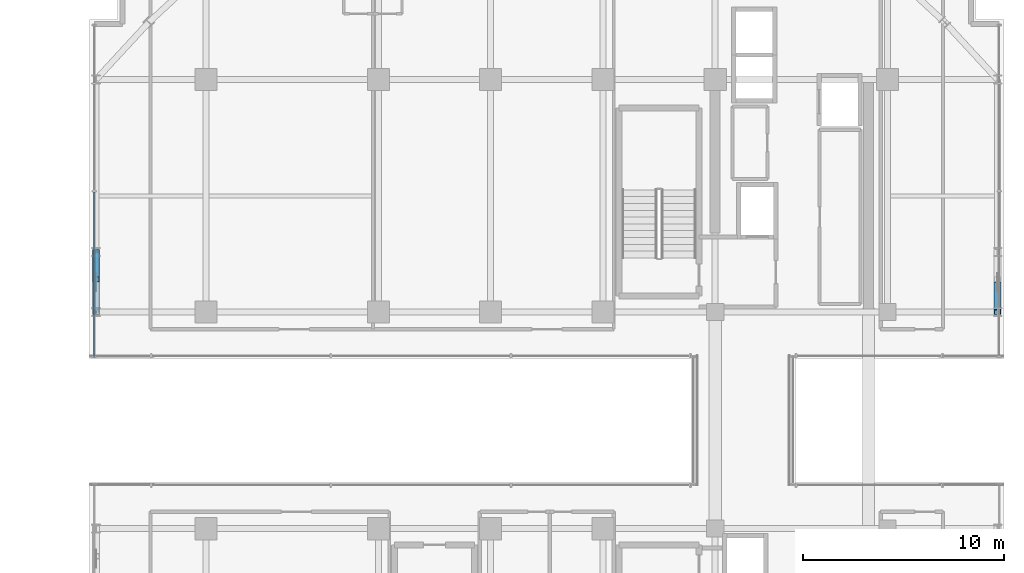
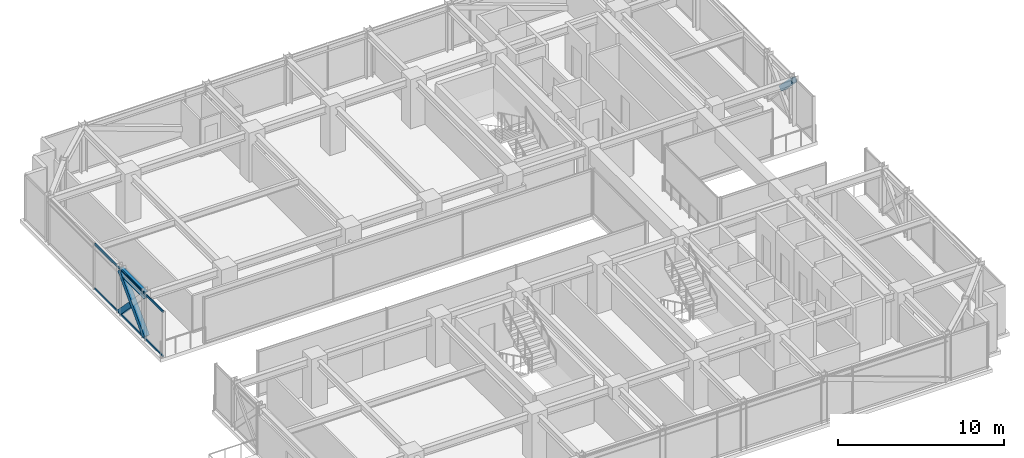
# One storey, part 19 of 36: 5 members, 1 beam, 1 element without a shape of its own.
"""IFC4 building model written with IfcOpenShell, lengths in metres."""

from ifc_helpers import new_model, si_unit, direction, frame, origin, origin_2d, place, context, subcontext, project, spatial, hollow_rectangle, i_section, extrude, source, transform, mapped, material, material_profile, profile_set, type_object, element, aggregate, save


model = new_model("IFC4")

# Units and contexts
model_context = context("Model", 3, precision=1e-05, world=origin(), true_north=direction((0.0, 1.0)))
body_context = subcontext(model_context, "Body", "Model", "MODEL_VIEW")
ifc_project = project(units=[si_unit("LENGTHUNIT", "METRE"), si_unit("AREAUNIT", "SQUARE_METRE"), si_unit("VOLUMEUNIT", "CUBIC_METRE"), si_unit("PLANEANGLEUNIT", "RADIAN"), si_unit("MASSUNIT", "GRAM", prefix="KILO")], contexts=[model_context])

# Site, building, storey
site_placement = place(None, origin())
site = spatial("IfcSite", under=ifc_project, at=site_placement, CompositionType="ELEMENT")
building_placement = place(site_placement, origin())
building = spatial("IfcBuilding", under=site, at=building_placement, Name="Nahalor Promenade Grand Hotel", CompositionType="ELEMENT")
storey_placement = place(building_placement, frame((0.0, 0.0, 170.89990234375)))
storey = spatial("IfcBuildingStorey", under=building, at=storey_placement, Name="L43", CompositionType="ELEMENT", Elevation=170.89990234375)

# Beam
ifc_material_1 = material(Name="Steel S355JR", Category="steel")
ifc_material_profile_1 = material_profile(ifc_material_1, i_section(OverallWidth=0.3, OverallDepth=0.45, WebThickness=0.014, FlangeThickness=0.026, at=origin_2d()), Name="HEB 450")
ifc_profile_set_1 = profile_set([ifc_material_profile_1], Name="Steel S355JR")
beam_type = type_object("IfcBeamType", Name="Beam-Spandrel-HEB450", PredefinedType="SPANDREL", material=ifc_profile_set_1)
shared_shape_1 = source(origin(), body_context, "Body", "SweptSolid", [
    extrude(i_section(OverallWidth=0.3, OverallDepth=0.45, WebThickness=0.014, FlangeThickness=0.026, at=origin_2d()), origin(), (0.0, 0.0, 1.0), 3.0),
])
beam_placement = place(storey_placement, frame((-22.47998046875, 5.39990234375, 3.1650390625), z_axis=(0.0, 1.0, 0.0), x_axis=(-1.0, 0.0, 0.0)))
element("IfcBeam", 1, at=beam_placement, inside=storey, type_object=beam_type, Name="BM-L43-SP-W-3", PredefinedType="SPANDREL", context=body_context, shape_type="MappedRepresentation", body=[
    mapped(shared_shape_1, transform((0.0, 0.0, 0.0), scale=1.0)),
])

# Members
ifc_material_profile_2 = material_profile(ifc_material_1, hollow_rectangle(XDim=0.35, YDim=0.35, WallThickness=0.02, at=origin_2d()), Name="SHS 350x350x20")
ifc_profile_set_2 = profile_set([ifc_material_profile_2], Name="Steel S355JR")
member_type_1 = type_object("IfcMemberType", Name="Mem-VoidBrace-SHS350", PredefinedType="BRACE", material=ifc_profile_set_2)
shared_shape_2 = source(origin(), body_context, "Body", "SweptSolid", [
    extrude(hollow_rectangle(XDim=0.35, YDim=0.35, WallThickness=0.02, at=origin_2d()), origin(), (0.0, 0.0, 1.0), 4.306640625),
])
member_1_placement = place(storey_placement, frame((-22.47998046875, 5.39990234375, 0.150146484375), z_axis=(0.0, 0.696598997639, 0.717460686371), x_axis=(-1.0, 0.0, 0.0)))
element("IfcMember", 2, at=member_1_placement, inside=storey, type_object=member_type_1, Name="EXO-L43-VX1-W1", PredefinedType="BRACE", context=body_context, shape_type="MappedRepresentation", body=[
    mapped(shared_shape_2, transform((0.0, 0.0, 0.0), scale=1.0)),
])
shared_shape_3 = source(origin(), body_context, "Body", "SweptSolid", [
    extrude(hollow_rectangle(XDim=0.35, YDim=0.35, WallThickness=0.02, at=origin_2d()), origin(), (0.0, 0.0, 1.0), 1.96630859375),
])
member_2_placement = place(storey_placement, frame((22.47998046875, 6.769775390625, 1.829345703125), z_axis=(0.0, -0.696663391113, 0.71739815966), x_axis=(1.0, 0.0, 0.0)))
element("IfcMember", 3, at=member_2_placement, inside=storey, type_object=member_type_1, Name="EXO-L43-VX2-E1B", PredefinedType="BRACE", context=body_context, shape_type="MappedRepresentation", body=[
    mapped(shared_shape_3, transform((0.0, 0.0, 0.0), scale=1.0)),
])
shared_shape_4 = source(origin(), body_context, "Body", "SweptSolid", [
    extrude(hollow_rectangle(XDim=0.35, YDim=0.35, WallThickness=0.02, at=origin_2d()), origin(), (0.0, 0.0, 1.0), 1.966064453125),
])
member_3_placement = place(storey_placement, frame((-22.47998046875, 8.39990234375, 0.150146484375), z_axis=(0.0, -0.696599482471, 0.717460215636), x_axis=(1.0, 0.0, 0.0)))
element("IfcMember", 4, at=member_3_placement, inside=storey, type_object=member_type_1, Name="EXO-L43-VX2-W1A", PredefinedType="BRACE", context=body_context, shape_type="MappedRepresentation", body=[
    mapped(shared_shape_4, transform((0.0, 0.0, 0.0), scale=1.0)),
])

# Curtain wall, members
ifc_material_2 = material(Name="Anodised Bronze Aluminium EN AW-6063 T6", Category="aluminium")
curtain_wall_type = type_object("IfcCurtainWallType", Name="CW3 Elliptical-Void Collar Unitised Curtain Wall", PredefinedType="USERDEFINED", material=ifc_material_2)
curtain_wall_placement = place(storey_placement, origin())
curtain_wall = element("IfcCurtainWall", 5, at=curtain_wall_placement, inside=storey, type_object=curtain_wall_type, Name="L43 Curtain Wall CW-L43-W-4", ObjectType="UNITISED_CURTAIN_WALL", PredefinedType="USERDEFINED")
ifc_material_profile_3 = material_profile(ifc_material_2, hollow_rectangle(XDim=0.07, YDim=0.14, WallThickness=0.004, at=origin_2d()), Name="CWT 70x140x4")
ifc_profile_set_3 = profile_set([ifc_material_profile_3], Name="Anodised Bronze Aluminium EN AW-6063 T6")
member_type_2 = type_object("IfcMemberType", Name="CWT3 Void Collar Transom 70x140", PredefinedType="USERDEFINED", material=ifc_profile_set_3)
shared_shape_5 = source(origin(), body_context, "Body", "SweptSolid", [
    extrude(hollow_rectangle(XDim=0.07, YDim=0.14, WallThickness=0.004, at=origin_2d()), origin(), (0.0, 0.0, 1.0), 8.22509765625),
])
member_4_placement = place(storey_placement, frame((-22.56005859375, 3.169921875, 0.070068359375), z_axis=(0.0, 1.0, 0.0), x_axis=(-1.0, 0.0, 0.0)))
member_4 = element("IfcMember", 6, at=member_4_placement, type_object=member_type_2, Name="CW-L43-W-4 Transom 0-0", ObjectType="TRANSOM", PredefinedType="USERDEFINED", context=body_context, shape_type="MappedRepresentation", body=[
    mapped(shared_shape_5, transform((0.0, 0.0, 0.0), scale=1.0)),
])
member_5_placement = place(storey_placement, frame((-22.56005859375, 3.169921875, 3.320068359375), z_axis=(0.0, 1.0, 0.0), x_axis=(-1.0, 0.0, 0.0)))
member_5 = element("IfcMember", 7, at=member_5_placement, type_object=member_type_2, Name="CW-L43-W-4 Transom 0-1", ObjectType="TRANSOM", PredefinedType="USERDEFINED", context=body_context, shape_type="MappedRepresentation", body=[
    mapped(shared_shape_5, transform((0.0, 0.0, 0.0), scale=1.0)),
])
aggregate(curtain_wall, [member_4, member_5])

save(model, "model.ifc")
